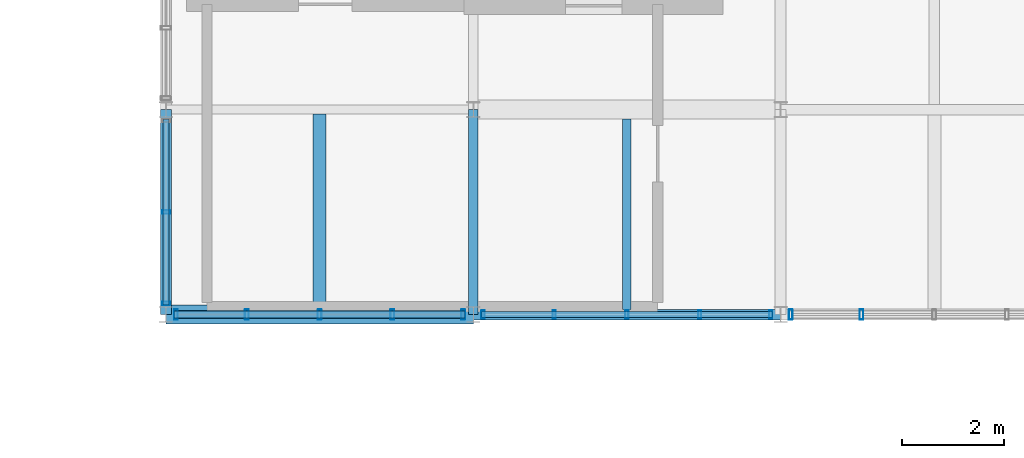
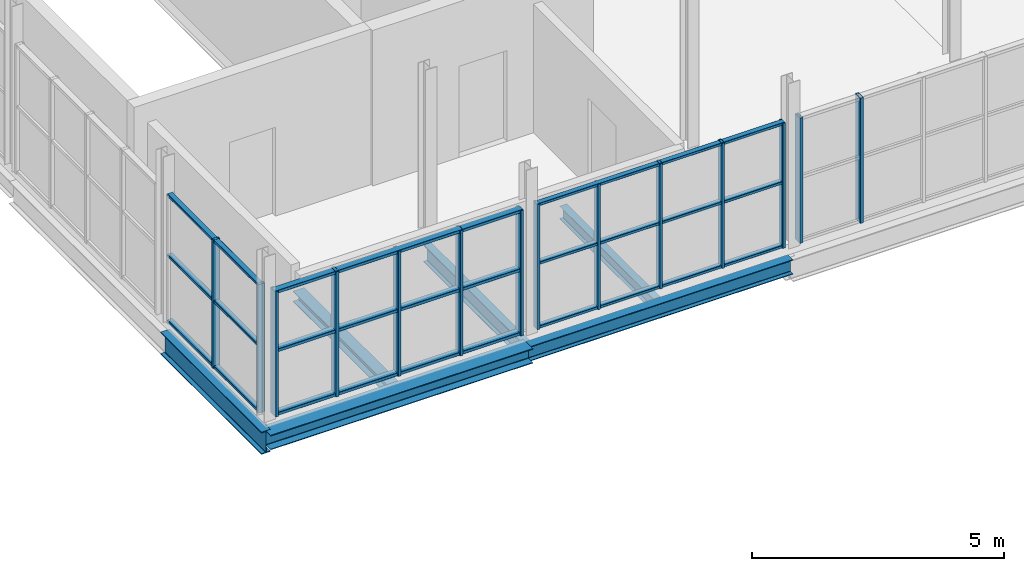
# One storey, part 58 of 96: 23 members, 6 beams, 4 elements without a shape of their own.
"""IFC4 building model written with IfcOpenShell, lengths in metres."""

from ifc_helpers import new_model, si_unit, direction, frame, origin, origin_2d, place, context, subcontext, project, spatial, hollow_rectangle, i_section, extrude, material, material_profile, profile_set, type_object, element, aggregate, save


model = new_model("IFC4")

# Units and contexts
model_context = context("Model", 3, precision=1e-05, world=origin(), true_north=direction((0.0, 1.0)))
body_context = subcontext(model_context, "Body", "Model", "MODEL_VIEW")
ifc_project = project(units=[si_unit("LENGTHUNIT", "METRE"), si_unit("AREAUNIT", "SQUARE_METRE"), si_unit("VOLUMEUNIT", "CUBIC_METRE"), si_unit("PLANEANGLEUNIT", "RADIAN"), si_unit("MASSUNIT", "GRAM", prefix="KILO")], contexts=[model_context])

# Site, building, storey
site_placement = place(None, origin())
site = spatial("IfcSite", under=ifc_project, at=site_placement, CompositionType="ELEMENT")
building_placement = place(site_placement, origin())
building = spatial("IfcBuilding", under=site, at=building_placement, Name="Verrall Gate Interchange", CompositionType="ELEMENT")
storey_placement = place(building_placement, frame((0.0, 0.0, 11.39990234375)))
storey = spatial("IfcBuildingStorey", under=building, at=storey_placement, Name="L03", CompositionType="ELEMENT", Elevation=11.39990234375)

# Beams
ifc_material_1 = material(Name="Structural Steel CSA G40.21 350W", Category="steel")
ifc_material_profile_1 = material_profile(ifc_material_1, i_section(OverallWidth=0.2109375, OverallDepth=0.5390625, WebThickness=0.01171875, FlangeThickness=0.018798828125, FilletRadius=0.013916015625, at=origin_2d()), Name="W530x109")
ifc_profile_set_1 = profile_set([ifc_material_profile_1], Name="Structural Steel CSA G40.21 350W")
beam_type_1 = type_object("IfcBeamType", Name="B-10 Structural Beam W530x109", PredefinedType="BEAM", material=ifc_profile_set_1)
beam_1_placement = place(storey_placement, frame((132.0, 12.0, -0.599365234375), z_axis=(0.0, 1.0, 0.0), x_axis=(-1.0, 0.0, 0.0)))
element("IfcBeam", 1, at=beam_1_placement, inside=storey, type_object=beam_type_1, Name="L03 Girder BM-L03-2323 (B-10)", PredefinedType="BEAM", context=body_context, shape_type="SweptSolid", body=[
    extrude(i_section(OverallWidth=0.2109375, OverallDepth=0.5390625, WebThickness=0.01171875, FlangeThickness=0.018798828125, FilletRadius=0.013916015625, at=origin_2d()), origin(), (0.0, 0.0, 1.0), 4.0),
])
ifc_material_2 = material(Name="Structural Steel CSA G40.21 350W", Category="steel")
ifc_material_profile_2 = material_profile(ifc_material_2, i_section(OverallWidth=0.178955078125, OverallDepth=0.409912109375, WebThickness=0.0087890625, FlangeThickness=0.014404296875, FilletRadius=0.011962890625, at=origin_2d()), Name="W410x67")
ifc_profile_set_2 = profile_set([ifc_material_profile_2], Name="Structural Steel CSA G40.21 350W")
beam_type_2 = type_object("IfcBeamType", Name="B-12 Structural Beam W410x67", PredefinedType="BEAM", material=ifc_profile_set_2)
beam_2_placement = place(storey_placement, frame((138.0, 12.0, -0.534912109375), z_axis=(0.0, 1.0, 0.0), x_axis=(-1.0, 0.0, 0.0)))
element("IfcBeam", 2, at=beam_2_placement, inside=storey, type_object=beam_type_2, Name="L03 Girder BM-L03-2331 (B-12)", PredefinedType="BEAM", context=body_context, shape_type="SweptSolid", body=[
    extrude(i_section(OverallWidth=0.178955078125, OverallDepth=0.409912109375, WebThickness=0.0087890625, FlangeThickness=0.014404296875, FilletRadius=0.011962890625, at=origin_2d()), origin(), (0.0, 0.0, 1.0), 4.0),
])
ifc_material_3 = material(Name="Structural Steel CSA G40.21 350W", Category="steel")
ifc_material_profile_3 = material_profile(ifc_material_3, i_section(OverallWidth=0.368896484375, OverallDepth=0.35595703125, WebThickness=0.01123046875, FlangeThickness=0.01806640625, FilletRadius=0.014892578125, at=origin_2d()), Name="W360x134")
ifc_profile_set_3 = profile_set([ifc_material_profile_3], Name="Structural Steel CSA G40.21 350W")
beam_type_3 = type_object("IfcBeamType", Name="B-13 Structural Beam W360x134", PredefinedType="BEAM", material=ifc_profile_set_3)
beam_3_placement = place(storey_placement, frame((132.0, 12.0, -0.5078125), z_axis=(1.0, 0.0, 0.0), x_axis=(0.0, 1.0, 0.0)))
element("IfcBeam", 3, at=beam_3_placement, inside=storey, type_object=beam_type_3, Name="L03 Girder BM-L03-2021 (B-13)", PredefinedType="BEAM", context=body_context, shape_type="SweptSolid", body=[
    extrude(i_section(OverallWidth=0.368896484375, OverallDepth=0.35595703125, WebThickness=0.01123046875, FlangeThickness=0.01806640625, FilletRadius=0.014892578125, at=origin_2d()), origin(), (0.0, 0.0, 1.0), 6.0),
])
ifc_material_4 = material(Name="Structural Steel CSA G40.21 350W", Category="steel")
ifc_material_profile_4 = material_profile(ifc_material_4, i_section(OverallWidth=0.205078125, OverallDepth=0.35400390625, WebThickness=0.009521484375, FlangeThickness=0.016845703125, FilletRadius=0.012939453125, at=origin_2d()), Name="W360x79")
ifc_profile_set_4 = profile_set([ifc_material_profile_4], Name="Structural Steel CSA G40.21 350W")
beam_type_4 = type_object("IfcBeamType", Name="B-14 Structural Beam W360x79", PredefinedType="BEAM", material=ifc_profile_set_4)
beam_4_placement = place(storey_placement, frame((138.0, 12.0, -0.5068359375), z_axis=(1.0, 0.0, 0.0), x_axis=(0.0, 1.0, 0.0)))
element("IfcBeam", 4, at=beam_4_placement, inside=storey, type_object=beam_type_4, Name="L03 Girder BM-L03-2022 (B-14)", PredefinedType="BEAM", context=body_context, shape_type="SweptSolid", body=[
    extrude(i_section(OverallWidth=0.205078125, OverallDepth=0.35400390625, WebThickness=0.009521484375, FlangeThickness=0.016845703125, FilletRadius=0.012939453125, at=origin_2d()), origin(), (0.0, 0.0, 1.0), 6.0),
])

# Curtain wall, members
ifc_material_5 = material(Name="Thermally Broken Anodized Aluminium Curtain Wall Framing", Category="aluminium")
curtain_wall_type_1 = type_object("IfcCurtainWallType", Name="CW-35 Unitized Curtain Wall 5682x3030", PredefinedType="NOTDEFINED", material=ifc_material_5)
curtain_wall_1_placement = place(storey_placement, origin())
curtain_wall_1 = element("IfcCurtainWall", 5, at=curtain_wall_1_placement, inside=storey, type_object=curtain_wall_type_1, Name="L03 Unitized Curtain Wall CW-L03-110", PredefinedType="NOTDEFINED")
ifc_material_6 = material(Name="Thermally Broken Anodized Aluminium Curtain Wall Framing", Category="aluminium")
ifc_material_profile_5 = material_profile(ifc_material_6, hollow_rectangle(XDim=0.06494140625, YDim=0.159912109375, WallThickness=0.00390625, InnerFilletRadius=0.00390625, OuterFilletRadius=0.008056640625, at=origin_2d()), Name="CWM160x65x4")
ifc_profile_set_5 = profile_set([ifc_material_profile_5], Name="Thermally Broken Anodized Aluminium Curtain Wall Framing")
member_type_1 = type_object("IfcMemberType", Name="CM-01 Curtain Mullion CWM160x65x4", PredefinedType="MULLION", material=ifc_profile_set_5)
member_1_placement = place(storey_placement, frame((138.19140625, 12.0, 0.0), z_axis=(0.0, 0.0, 1.0), x_axis=(1.0, 0.0, 0.0)))
member_1 = element("IfcMember", 6, at=member_1_placement, type_object=member_type_1, Name="CW-L03-110 Mullion 1", PredefinedType="MULLION", context=body_context, shape_type="SweptSolid", body=[
    extrude(hollow_rectangle(XDim=0.06494140625, YDim=0.159912109375, WallThickness=0.00390625, InnerFilletRadius=0.00390625, OuterFilletRadius=0.008056640625, at=origin_2d()), origin(), (0.0, 0.0, 1.0), 3.030029296875),
])
member_2_placement = place(storey_placement, frame((139.57958984375, 12.0, 0.0), z_axis=(0.0, 0.0, 1.0), x_axis=(1.0, 0.0, 0.0)))
member_2 = element("IfcMember", 7, at=member_2_placement, type_object=member_type_1, Name="CW-L03-110 Mullion 2", PredefinedType="MULLION", context=body_context, shape_type="SweptSolid", body=[
    extrude(hollow_rectangle(XDim=0.06494140625, YDim=0.159912109375, WallThickness=0.00390625, InnerFilletRadius=0.00390625, OuterFilletRadius=0.008056640625, at=origin_2d()), origin(), (0.0, 0.0, 1.0), 3.030029296875),
])
member_3_placement = place(storey_placement, frame((141.0, 12.0, 0.0), z_axis=(0.0, 0.0, 1.0), x_axis=(1.0, 0.0, 0.0)))
member_3 = element("IfcMember", 8, at=member_3_placement, type_object=member_type_1, Name="CW-L03-110 Mullion 3", PredefinedType="MULLION", context=body_context, shape_type="SweptSolid", body=[
    extrude(hollow_rectangle(XDim=0.06494140625, YDim=0.159912109375, WallThickness=0.00390625, InnerFilletRadius=0.00390625, OuterFilletRadius=0.008056640625, at=origin_2d()), origin(), (0.0, 0.0, 1.0), 3.030029296875),
])
member_4_placement = place(storey_placement, frame((142.42041015625, 12.0, 0.0), z_axis=(0.0, 0.0, 1.0), x_axis=(1.0, 0.0, 0.0)))
member_4 = element("IfcMember", 9, at=member_4_placement, type_object=member_type_1, Name="CW-L03-110 Mullion 4", PredefinedType="MULLION", context=body_context, shape_type="SweptSolid", body=[
    extrude(hollow_rectangle(XDim=0.06494140625, YDim=0.159912109375, WallThickness=0.00390625, InnerFilletRadius=0.00390625, OuterFilletRadius=0.008056640625, at=origin_2d()), origin(), (0.0, 0.0, 1.0), 3.030029296875),
])
member_5_placement = place(storey_placement, frame((143.80859375, 12.0, 0.0), z_axis=(0.0, 0.0, 1.0), x_axis=(1.0, 0.0, 0.0)))
member_5 = element("IfcMember", 10, at=member_5_placement, type_object=member_type_1, Name="CW-L03-110 Mullion 5", PredefinedType="MULLION", context=body_context, shape_type="SweptSolid", body=[
    extrude(hollow_rectangle(XDim=0.06494140625, YDim=0.159912109375, WallThickness=0.00390625, InnerFilletRadius=0.00390625, OuterFilletRadius=0.008056640625, at=origin_2d()), origin(), (0.0, 0.0, 1.0), 3.030029296875),
])

ifc_material_7 = material(Name="Thermally Broken Anodized Aluminium Curtain Wall Framing", Category="aluminium")
curtain_wall_type_2 = type_object("IfcCurtainWallType", Name="CW-17 Unitized Curtain Wall 3631x3100", PredefinedType="NOTDEFINED", material=ifc_material_7)
curtain_wall_2_placement = place(storey_placement, origin())
curtain_wall_2 = element("IfcCurtainWall", 11, at=curtain_wall_2_placement, inside=storey, type_object=curtain_wall_type_2, Name="L03 Unitized Curtain Wall CW-L03-126", PredefinedType="NOTDEFINED")
member_6_placement = place(storey_placement, frame((132.0, 14.0, 0.0), z_axis=(0.0, 0.0, 1.0), x_axis=(0.0, -1.0, 0.0)))
member_6 = element("IfcMember", 12, at=member_6_placement, type_object=member_type_1, Name="CW-L03-126 Mullion 2", PredefinedType="MULLION", context=body_context, shape_type="SweptSolid", body=[
    extrude(hollow_rectangle(XDim=0.06494140625, YDim=0.159912109375, WallThickness=0.00390625, InnerFilletRadius=0.00390625, OuterFilletRadius=0.008056640625, at=origin_2d()), origin(), (0.0, 0.0, 1.0), 3.110107421875),
])
member_7_placement = place(storey_placement, frame((132.0, 12.217529296875, 0.0), z_axis=(0.0, 0.0, 1.0), x_axis=(0.0, -1.0, 0.0)))
member_7 = element("IfcMember", 13, at=member_7_placement, type_object=member_type_1, Name="CW-L03-126 Mullion 3", PredefinedType="MULLION", context=body_context, shape_type="SweptSolid", body=[
    extrude(hollow_rectangle(XDim=0.06494140625, YDim=0.159912109375, WallThickness=0.00390625, InnerFilletRadius=0.00390625, OuterFilletRadius=0.008056640625, at=origin_2d()), origin(), (0.0, 0.0, 1.0), 3.110107421875),
])

curtain_wall_3_placement = place(storey_placement, origin())
curtain_wall_3 = element("IfcCurtainWall", 14, at=curtain_wall_3_placement, inside=storey, type_object=curtain_wall_type_1, Name="L03 Unitized Curtain Wall CW-L03-109", PredefinedType="NOTDEFINED")
ifc_material_8 = material(Name="Thermally Broken Anodized Aluminium Curtain Wall Framing", Category="aluminium")
ifc_material_profile_6 = material_profile(ifc_material_8, hollow_rectangle(XDim=0.074951171875, YDim=0.199951171875, WallThickness=0.0048828125, InnerFilletRadius=0.0048828125, OuterFilletRadius=0.010009765625, at=origin_2d()), Name="CWM200x75x5")
ifc_profile_set_6 = profile_set([ifc_material_profile_6], Name="Thermally Broken Anodized Aluminium Curtain Wall Framing")
member_type_2 = type_object("IfcMemberType", Name="CM-02 Curtain Mullion CWM200x75x5", PredefinedType="MULLION", material=ifc_profile_set_6)
member_8_placement = place(storey_placement, frame((132.196533203125, 12.0, 0.0), z_axis=(0.0, 0.0, 1.0), x_axis=(1.0, 0.0, 0.0)))
member_8 = element("IfcMember", 15, at=member_8_placement, type_object=member_type_2, Name="CW-L03-109 Mullion 1", PredefinedType="MULLION", context=body_context, shape_type="SweptSolid", body=[
    extrude(hollow_rectangle(XDim=0.074951171875, YDim=0.199951171875, WallThickness=0.0048828125, InnerFilletRadius=0.0048828125, OuterFilletRadius=0.010009765625, at=origin_2d()), origin(), (0.0, 0.0, 1.0), 3.030029296875),
])
member_9_placement = place(storey_placement, frame((133.57958984375, 12.0, 0.0), z_axis=(0.0, 0.0, 1.0), x_axis=(1.0, 0.0, 0.0)))
member_9 = element("IfcMember", 16, at=member_9_placement, type_object=member_type_2, Name="CW-L03-109 Mullion 2", PredefinedType="MULLION", context=body_context, shape_type="SweptSolid", body=[
    extrude(hollow_rectangle(XDim=0.074951171875, YDim=0.199951171875, WallThickness=0.0048828125, InnerFilletRadius=0.0048828125, OuterFilletRadius=0.010009765625, at=origin_2d()), origin(), (0.0, 0.0, 1.0), 3.030029296875),
])
member_10_placement = place(storey_placement, frame((135.0, 12.0, 0.0), z_axis=(0.0, 0.0, 1.0), x_axis=(1.0, 0.0, 0.0)))
member_10 = element("IfcMember", 17, at=member_10_placement, type_object=member_type_2, Name="CW-L03-109 Mullion 3", PredefinedType="MULLION", context=body_context, shape_type="SweptSolid", body=[
    extrude(hollow_rectangle(XDim=0.074951171875, YDim=0.199951171875, WallThickness=0.0048828125, InnerFilletRadius=0.0048828125, OuterFilletRadius=0.010009765625, at=origin_2d()), origin(), (0.0, 0.0, 1.0), 3.030029296875),
])
member_11_placement = place(storey_placement, frame((136.42041015625, 12.0, 0.0), z_axis=(0.0, 0.0, 1.0), x_axis=(1.0, 0.0, 0.0)))
member_11 = element("IfcMember", 18, at=member_11_placement, type_object=member_type_2, Name="CW-L03-109 Mullion 4", PredefinedType="MULLION", context=body_context, shape_type="SweptSolid", body=[
    extrude(hollow_rectangle(XDim=0.074951171875, YDim=0.199951171875, WallThickness=0.0048828125, InnerFilletRadius=0.0048828125, OuterFilletRadius=0.010009765625, at=origin_2d()), origin(), (0.0, 0.0, 1.0), 3.030029296875),
])
member_12_placement = place(storey_placement, frame((137.803466796875, 12.0, 0.0), z_axis=(0.0, 0.0, 1.0), x_axis=(1.0, 0.0, 0.0)))
member_12 = element("IfcMember", 19, at=member_12_placement, type_object=member_type_2, Name="CW-L03-109 Mullion 5", PredefinedType="MULLION", context=body_context, shape_type="SweptSolid", body=[
    extrude(hollow_rectangle(XDim=0.074951171875, YDim=0.199951171875, WallThickness=0.0048828125, InnerFilletRadius=0.0048828125, OuterFilletRadius=0.010009765625, at=origin_2d()), origin(), (0.0, 0.0, 1.0), 3.030029296875),
])

curtain_wall_4_placement = place(storey_placement, origin())
curtain_wall_4 = element("IfcCurtainWall", 20, at=curtain_wall_4_placement, inside=storey, type_object=curtain_wall_type_1, Name="L03 Unitized Curtain Wall CW-L03-111", PredefinedType="NOTDEFINED")
member_13_placement = place(storey_placement, frame((144.196533203125, 12.0, 0.0), z_axis=(0.0, 0.0, 1.0), x_axis=(1.0, 0.0, 0.0)))
member_13 = element("IfcMember", 21, at=member_13_placement, type_object=member_type_2, Name="CW-L03-111 Mullion 1", PredefinedType="MULLION", context=body_context, shape_type="SweptSolid", body=[
    extrude(hollow_rectangle(XDim=0.074951171875, YDim=0.199951171875, WallThickness=0.0048828125, InnerFilletRadius=0.0048828125, OuterFilletRadius=0.010009765625, at=origin_2d()), origin(), (0.0, 0.0, 1.0), 3.030029296875),
])
member_14_placement = place(storey_placement, frame((145.57958984375, 12.0, 0.0), z_axis=(0.0, 0.0, 1.0), x_axis=(1.0, 0.0, 0.0)))
member_14 = element("IfcMember", 22, at=member_14_placement, type_object=member_type_2, Name="CW-L03-111 Mullion 2", PredefinedType="MULLION", context=body_context, shape_type="SweptSolid", body=[
    extrude(hollow_rectangle(XDim=0.074951171875, YDim=0.199951171875, WallThickness=0.0048828125, InnerFilletRadius=0.0048828125, OuterFilletRadius=0.010009765625, at=origin_2d()), origin(), (0.0, 0.0, 1.0), 3.030029296875),
])
aggregate(curtain_wall_4, [member_13, member_14])

# Member
ifc_material_9 = material(Name="Thermally Broken Anodized Aluminium Curtain Wall Framing", Category="aluminium")
ifc_material_profile_7 = material_profile(ifc_material_9, hollow_rectangle(XDim=0.1201171875, YDim=0.06494140625, WallThickness=0.00390625, InnerFilletRadius=0.00390625, OuterFilletRadius=0.008056640625, at=origin_2d()), Name="CWT120x65x4")
ifc_profile_set_7 = profile_set([ifc_material_profile_7], Name="Thermally Broken Anodized Aluminium Curtain Wall Framing")
member_type_3 = type_object("IfcMemberType", Name="CT-01 Curtain Transom CWT120x65x4", PredefinedType="USERDEFINED", material=ifc_profile_set_7)
member_15_placement = place(storey_placement, frame((138.158935546875, 12.0, 0.03271484375), z_axis=(1.0, 0.0, 0.0), x_axis=(0.0, 1.0, 0.0)))
member_15 = element("IfcMember", 23, at=member_15_placement, type_object=member_type_3, Name="CW-L03-110 Transom 1", ObjectType="TRANSOM", PredefinedType="USERDEFINED", context=body_context, shape_type="SweptSolid", body=[
    extrude(hollow_rectangle(XDim=0.1201171875, YDim=0.06494140625, WallThickness=0.00390625, InnerFilletRadius=0.00390625, OuterFilletRadius=0.008056640625, at=origin_2d()), origin(), (0.0, 0.0, 1.0), 5.68212890625),
])

member_16_placement = place(storey_placement, frame((138.158935546875, 12.0, 1.57568359375), z_axis=(1.0, 0.0, 0.0), x_axis=(0.0, 1.0, 0.0)))
member_16 = element("IfcMember", 24, at=member_16_placement, type_object=member_type_3, Name="CW-L03-110 Transom 2", ObjectType="TRANSOM", PredefinedType="USERDEFINED", context=body_context, shape_type="SweptSolid", body=[
    extrude(hollow_rectangle(XDim=0.1201171875, YDim=0.06494140625, WallThickness=0.00390625, InnerFilletRadius=0.00390625, OuterFilletRadius=0.008056640625, at=origin_2d()), origin(), (0.0, 0.0, 1.0), 5.68212890625),
])

member_17_placement = place(storey_placement, frame((138.158935546875, 12.0, 2.99755859375), z_axis=(1.0, 0.0, 0.0), x_axis=(0.0, 1.0, 0.0)))
member_17 = element("IfcMember", 25, at=member_17_placement, type_object=member_type_3, Name="CW-L03-110 Transom 3", ObjectType="TRANSOM", PredefinedType="USERDEFINED", context=body_context, shape_type="SweptSolid", body=[
    extrude(hollow_rectangle(XDim=0.1201171875, YDim=0.06494140625, WallThickness=0.00390625, InnerFilletRadius=0.00390625, OuterFilletRadius=0.008056640625, at=origin_2d()), origin(), (0.0, 0.0, 1.0), 5.68212890625),
])

aggregate(curtain_wall_1, [member_1, member_2, member_3, member_4, member_5, member_15, member_16, member_17])

member_18_placement = place(storey_placement, frame((132.0, 15.81494140625, 0.03271484375), z_axis=(0.0, -1.0, 0.0), x_axis=(1.0, 0.0, 0.0)))
member_18 = element("IfcMember", 26, at=member_18_placement, type_object=member_type_3, Name="CW-L03-126 Transom 1", ObjectType="TRANSOM", PredefinedType="USERDEFINED", context=body_context, shape_type="SweptSolid", body=[
    extrude(hollow_rectangle(XDim=0.1201171875, YDim=0.06494140625, WallThickness=0.00390625, InnerFilletRadius=0.00390625, OuterFilletRadius=0.008056640625, at=origin_2d()), origin(), (0.0, 0.0, 1.0), 3.6298828125),
])

member_19_placement = place(storey_placement, frame((132.0, 15.81494140625, 1.6171875), z_axis=(0.0, -1.0, 0.0), x_axis=(1.0, 0.0, 0.0)))
member_19 = element("IfcMember", 27, at=member_19_placement, type_object=member_type_3, Name="CW-L03-126 Transom 2", ObjectType="TRANSOM", PredefinedType="USERDEFINED", context=body_context, shape_type="SweptSolid", body=[
    extrude(hollow_rectangle(XDim=0.1201171875, YDim=0.06494140625, WallThickness=0.00390625, InnerFilletRadius=0.00390625, OuterFilletRadius=0.008056640625, at=origin_2d()), origin(), (0.0, 0.0, 1.0), 3.6298828125),
])

member_20_placement = place(storey_placement, frame((132.0, 15.81494140625, 3.07763671875), z_axis=(0.0, -1.0, 0.0), x_axis=(1.0, 0.0, 0.0)))
member_20 = element("IfcMember", 28, at=member_20_placement, type_object=member_type_3, Name="CW-L03-126 Transom 3", ObjectType="TRANSOM", PredefinedType="USERDEFINED", context=body_context, shape_type="SweptSolid", body=[
    extrude(hollow_rectangle(XDim=0.1201171875, YDim=0.06494140625, WallThickness=0.00390625, InnerFilletRadius=0.00390625, OuterFilletRadius=0.008056640625, at=origin_2d()), origin(), (0.0, 0.0, 1.0), 3.6298828125),
])

aggregate(curtain_wall_2, [member_6, member_7, member_18, member_19, member_20])

ifc_material_10 = material(Name="Thermally Broken Anodized Aluminium Curtain Wall Framing", Category="aluminium")
ifc_material_profile_8 = material_profile(ifc_material_10, hollow_rectangle(XDim=0.14990234375, YDim=0.074951171875, WallThickness=0.00439453125, InnerFilletRadius=0.00439453125, OuterFilletRadius=0.009033203125, at=origin_2d()), Name="CWT150x75x4.5")
ifc_profile_set_8 = profile_set([ifc_material_profile_8], Name="Thermally Broken Anodized Aluminium Curtain Wall Framing")
member_type_4 = type_object("IfcMemberType", Name="CT-02 Curtain Transom CWT150x75x4.5", PredefinedType="USERDEFINED", material=ifc_profile_set_8)
member_21_placement = place(storey_placement, frame((132.158935546875, 12.0, 0.03759765625), z_axis=(1.0, 0.0, 0.0), x_axis=(0.0, 1.0, 0.0)))
member_21 = element("IfcMember", 29, at=member_21_placement, type_object=member_type_4, Name="CW-L03-109 Transom 1", ObjectType="TRANSOM", PredefinedType="USERDEFINED", context=body_context, shape_type="SweptSolid", body=[
    extrude(hollow_rectangle(XDim=0.14990234375, YDim=0.074951171875, WallThickness=0.00439453125, InnerFilletRadius=0.00439453125, OuterFilletRadius=0.009033203125, at=origin_2d()), origin(), (0.0, 0.0, 1.0), 5.68212890625),
])

member_22_placement = place(storey_placement, frame((132.158935546875, 12.0, 1.57568359375), z_axis=(1.0, 0.0, 0.0), x_axis=(0.0, 1.0, 0.0)))
member_22 = element("IfcMember", 30, at=member_22_placement, type_object=member_type_4, Name="CW-L03-109 Transom 2", ObjectType="TRANSOM", PredefinedType="USERDEFINED", context=body_context, shape_type="SweptSolid", body=[
    extrude(hollow_rectangle(XDim=0.14990234375, YDim=0.074951171875, WallThickness=0.00439453125, InnerFilletRadius=0.00439453125, OuterFilletRadius=0.009033203125, at=origin_2d()), origin(), (0.0, 0.0, 1.0), 5.68212890625),
])

member_23_placement = place(storey_placement, frame((132.158935546875, 12.0, 2.99267578125), z_axis=(1.0, 0.0, 0.0), x_axis=(0.0, 1.0, 0.0)))
member_23 = element("IfcMember", 31, at=member_23_placement, type_object=member_type_4, Name="CW-L03-109 Transom 3", ObjectType="TRANSOM", PredefinedType="USERDEFINED", context=body_context, shape_type="SweptSolid", body=[
    extrude(hollow_rectangle(XDim=0.14990234375, YDim=0.074951171875, WallThickness=0.00439453125, InnerFilletRadius=0.00439453125, OuterFilletRadius=0.009033203125, at=origin_2d()), origin(), (0.0, 0.0, 1.0), 5.68212890625),
])

aggregate(curtain_wall_3, [member_8, member_9, member_10, member_11, member_12, member_21, member_22, member_23])

# Beams
ifc_material_11 = material(Name="Structural Steel CSA G40.21 350W", Category="steel")
ifc_material_profile_9 = material_profile(ifc_material_11, i_section(OverallWidth=0.1650390625, OverallDepth=0.31005859375, WebThickness=0.005859375, FlangeThickness=0.009765625, FilletRadius=0.010009765625, at=origin_2d()), Name="W310x39")
ifc_profile_set_9 = profile_set([ifc_material_profile_9], Name="Structural Steel CSA G40.21 350W")
beam_type_5 = type_object("IfcBeamType", Name="J-04 Floor Joist W310x39", PredefinedType="JOIST", material=ifc_profile_set_9)
beam_5_placement = place(storey_placement, frame((141.0, 12.1025390625, -0.48486328125), z_axis=(0.0, 1.0, 0.0), x_axis=(-1.0, 0.0, 0.0)))
element("IfcBeam", 32, at=beam_5_placement, inside=storey, type_object=beam_type_5, Name="L03 Secondary Floor Joist JST-L03-2419", PredefinedType="JOIST", context=body_context, shape_type="SweptSolid", body=[
    extrude(i_section(OverallWidth=0.1650390625, OverallDepth=0.31005859375, WebThickness=0.005859375, FlangeThickness=0.009765625, FilletRadius=0.010009765625, at=origin_2d()), origin(), (0.0, 0.0, 1.0), 3.712890625),
])
ifc_material_12 = material(Name="Structural Steel CSA G40.21 350W", Category="steel")
ifc_material_profile_10 = material_profile(ifc_material_12, i_section(OverallWidth=0.25390625, OverallDepth=0.2529296875, WebThickness=0.008544921875, FlangeThickness=0.01416015625, FilletRadius=0.011962890625, at=origin_2d()), Name="W250x73")
ifc_profile_set_10 = profile_set([ifc_material_profile_10], Name="Structural Steel CSA G40.21 350W")
beam_type_6 = type_object("IfcBeamType", Name="J-05 Floor Joist W250x73", PredefinedType="JOIST", material=ifc_profile_set_10)
beam_6_placement = place(storey_placement, frame((135.0, 12.1845703125, -0.456298828125), z_axis=(0.0, 1.0, 0.0), x_axis=(-1.0, 0.0, 0.0)))
element("IfcBeam", 33, at=beam_6_placement, inside=storey, type_object=beam_type_6, Name="L03 Secondary Floor Joist JST-L03-2418", PredefinedType="JOIST", context=body_context, shape_type="SweptSolid", body=[
    extrude(i_section(OverallWidth=0.25390625, OverallDepth=0.2529296875, WebThickness=0.008544921875, FlangeThickness=0.01416015625, FilletRadius=0.011962890625, at=origin_2d()), origin(), (0.0, 0.0, 1.0), 3.725830078125),
])

save(model, "model.ifc")
